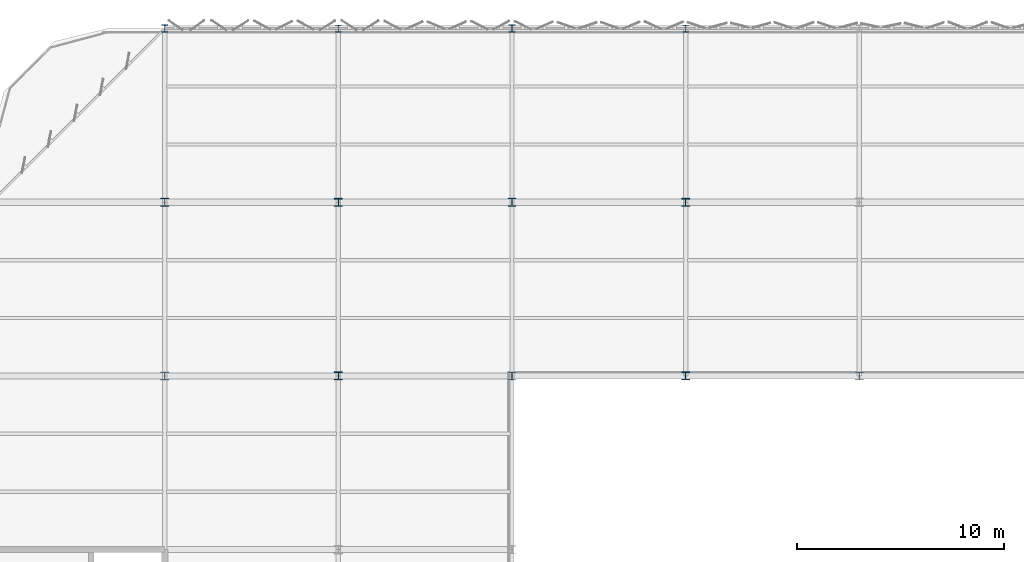
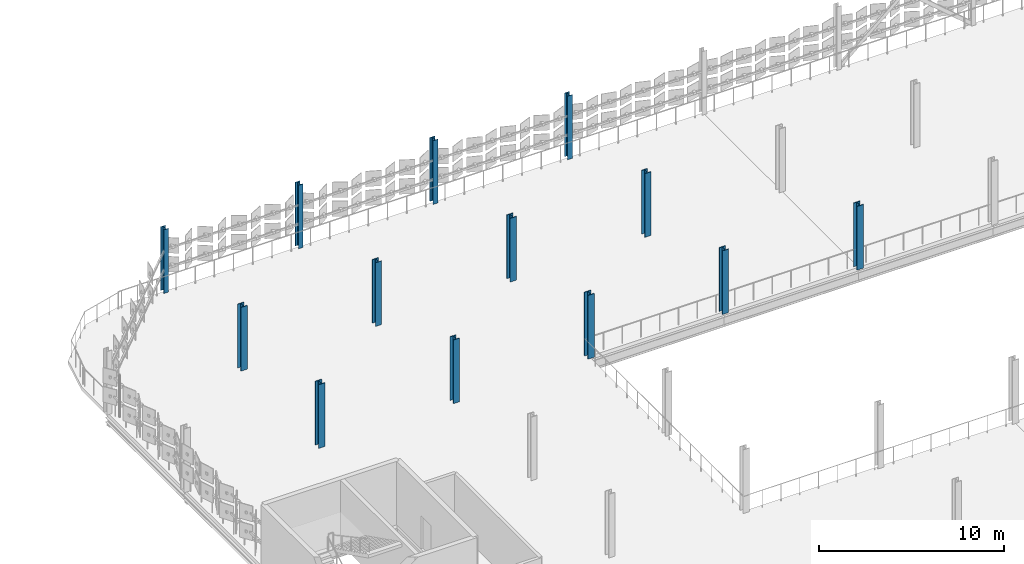
# One storey, part 15 of 163: 13 columns.
"""IFC4 building model written with IfcOpenShell, lengths in metres."""

from ifc_helpers import new_model, si_unit, direction, frame, origin, origin_2d, place, context, subcontext, project, spatial, i_section, extrude, material, material_profile, profile_set, type_object, element, save


model = new_model("IFC4")

# Units and contexts
model_context = context("Model", 3, precision=1e-05, world=origin(), true_north=direction((0.0, 1.0)))
body_context = subcontext(model_context, "Body", "Model", "MODEL_VIEW")
ifc_project = project(units=[si_unit("LENGTHUNIT", "METRE"), si_unit("AREAUNIT", "SQUARE_METRE"), si_unit("VOLUMEUNIT", "CUBIC_METRE"), si_unit("PLANEANGLEUNIT", "RADIAN"), si_unit("MASSUNIT", "GRAM", prefix="KILO")], contexts=[model_context])

# Site, building, storey
site_placement = place(None, origin())
site = spatial("IfcSite", under=ifc_project, at=site_placement, CompositionType="ELEMENT")
building_placement = place(site_placement, origin())
building = spatial("IfcBuilding", under=site, at=building_placement, Name="Qalvenar Corner Mobility Hub", CompositionType="ELEMENT")
storey_placement = place(building_placement, frame((0.0, 0.0, 4.800048828125)))
storey = spatial("IfcBuildingStorey", under=building, at=storey_placement, Name="L01", CompositionType="ELEMENT", Elevation=4.800048828125)

# Columns
ifc_material = material(Name="Steel S355", Category="steel")
ifc_material_profile_1 = material_profile(ifc_material, i_section(OverallWidth=0.376953125, OverallDepth=0.386962890625, WebThickness=0.0224609375, FlangeThickness=0.035888671875, FilletRadius=0.014892578125, at=origin_2d()), Name="HD360x262")
ifc_profile_set_1 = profile_set([ifc_material_profile_1], Name="Steel S355")
column_type_1 = type_object("IfcColumnType", Name="COL-HD360X262", PredefinedType="COLUMN", material=ifc_profile_set_1)
for number, where, z_axis, x_axis, name in (
    (1, (75.60009765625, 100.800048828125, 0.0), (0.0, 0.0, 1.0), (1.0, 0.0, 0.0), "Steel Column L01-G10-12"),
    (2, (75.60009765625, 109.199951171875, 0.0), (0.0, 0.0, 1.0), (1.0, 0.0, 0.0), "Steel Column L01-G10-13"),
    (3, (92.39990234375, 100.800048828125, 0.0), (0.0, 0.0, 1.0), (1.0, 0.0, 0.0), "Steel Column L01-G12-12"),
    (4, (92.39990234375, 109.199951171875, 0.0), (0.0, 0.0, 1.0), (1.0, 0.0, 0.0), "Steel Column L01-G12-13"),
):
    element("IfcColumn", number, at=place(storey_placement, frame(where, z_axis=z_axis, x_axis=x_axis)), inside=storey, type_object=column_type_1, Name=name, PredefinedType="COLUMN", context=body_context, shape_type="SweptSolid", body=[
        extrude(i_section(OverallWidth=0.376953125, OverallDepth=0.386962890625, WebThickness=0.0224609375, FlangeThickness=0.035888671875, FilletRadius=0.014892578125, at=origin_2d()), origin(), (0.0, 0.0, 1.0), 4.199951171875),
    ])
ifc_material_profile_2 = material_profile(ifc_material, i_section(OverallWidth=0.40087890625, OverallDepth=0.39892578125, WebThickness=0.02490234375, FlangeThickness=0.03955078125, FilletRadius=0.014892578125, at=origin_2d()), Name="HD400x314")
ifc_profile_set_2 = profile_set([ifc_material_profile_2], Name="Steel S355")
column_type_2 = type_object("IfcColumnType", Name="COL-HD400X314", PredefinedType="COLUMN", material=ifc_profile_set_2)
for number, where, z_axis, x_axis, name in (
    (5, (67.199951171875, 100.800048828125, 0.0), (0.0, 0.0, 1.0), (1.0, 0.0, 0.0), "Steel Column L01-G9-12"),
    (6, (67.199951171875, 109.199951171875, 0.0), (0.0, 0.0, 1.0), (1.0, 0.0, 0.0), "Steel Column L01-G9-13"),
    (7, (84.0, 100.800048828125, 0.0), (0.0, 0.0, 1.0), (1.0, 0.0, 0.0), "Steel Column L01-G11-12"),
    (8, (84.0, 109.199951171875, 0.0), (0.0, 0.0, 1.0), (1.0, 0.0, 0.0), "Steel Column L01-G11-13"),
    (9, (100.800048828125, 100.800048828125, 0.0), (0.0, 0.0, 1.0), (1.0, 0.0, 0.0), "Steel Column L01-G13-12"),
):
    element("IfcColumn", number, at=place(storey_placement, frame(where, z_axis=z_axis, x_axis=x_axis)), inside=storey, type_object=column_type_2, Name=name, PredefinedType="COLUMN", context=body_context, shape_type="SweptSolid", body=[
        extrude(i_section(OverallWidth=0.40087890625, OverallDepth=0.39892578125, WebThickness=0.02490234375, FlangeThickness=0.03955078125, FilletRadius=0.014892578125, at=origin_2d()), origin(), (0.0, 0.0, 1.0), 4.199951171875),
    ])
ifc_material_profile_3 = material_profile(ifc_material, i_section(OverallWidth=0.300048828125, OverallDepth=0.35009765625, WebThickness=0.010009765625, FlangeThickness=0.017578125, FilletRadius=0.027099609375, at=origin_2d()), Name="HEA360")
ifc_profile_set_3 = profile_set([ifc_material_profile_3], Name="Steel S355")
column_type_3 = type_object("IfcColumnType", Name="COL-HEA360", PredefinedType="COLUMN", material=ifc_profile_set_3)
for number, where, z_axis, x_axis, name in (
    (10, (75.60009765625, 117.60009765625, 0.0), (0.0, 0.0, 1.0), (1.0, 0.0, 0.0), "Steel Column L01-G10-14"),
    (11, (92.39990234375, 117.60009765625, 0.0), (0.0, 0.0, 1.0), (1.0, 0.0, 0.0), "Steel Column L01-G12-14"),
):
    element("IfcColumn", number, at=place(storey_placement, frame(where, z_axis=z_axis, x_axis=x_axis)), inside=storey, type_object=column_type_3, Name=name, PredefinedType="COLUMN", context=body_context, shape_type="SweptSolid", body=[
        extrude(i_section(OverallWidth=0.300048828125, OverallDepth=0.35009765625, WebThickness=0.010009765625, FlangeThickness=0.017578125, FilletRadius=0.027099609375, at=origin_2d()), origin(), (0.0, 0.0, 1.0), 4.199951171875),
    ])
ifc_material_profile_4 = material_profile(ifc_material, i_section(OverallWidth=0.300048828125, OverallDepth=0.360107421875, WebThickness=0.012451171875, FlangeThickness=0.0224609375, FilletRadius=0.027099609375, at=origin_2d()), Name="HEB360")
ifc_profile_set_4 = profile_set([ifc_material_profile_4], Name="Steel S355")
column_type_4 = type_object("IfcColumnType", Name="COL-HEB360", PredefinedType="COLUMN", material=ifc_profile_set_4)
for number, where, z_axis, x_axis, name in (
    (12, (67.199951171875, 117.60009765625, 0.0), (0.0, 0.0, 1.0), (1.0, 0.0, 0.0), "Steel Column L01-G9-14"),
    (13, (84.0, 117.60009765625, 0.0), (0.0, 0.0, 1.0), (1.0, 0.0, 0.0), "Steel Column L01-G11-14"),
):
    element("IfcColumn", number, at=place(storey_placement, frame(where, z_axis=z_axis, x_axis=x_axis)), inside=storey, type_object=column_type_4, Name=name, PredefinedType="COLUMN", context=body_context, shape_type="SweptSolid", body=[
        extrude(i_section(OverallWidth=0.300048828125, OverallDepth=0.360107421875, WebThickness=0.012451171875, FlangeThickness=0.0224609375, FilletRadius=0.027099609375, at=origin_2d()), origin(), (0.0, 0.0, 1.0), 4.199951171875),
    ])

save(model, "model.ifc")
